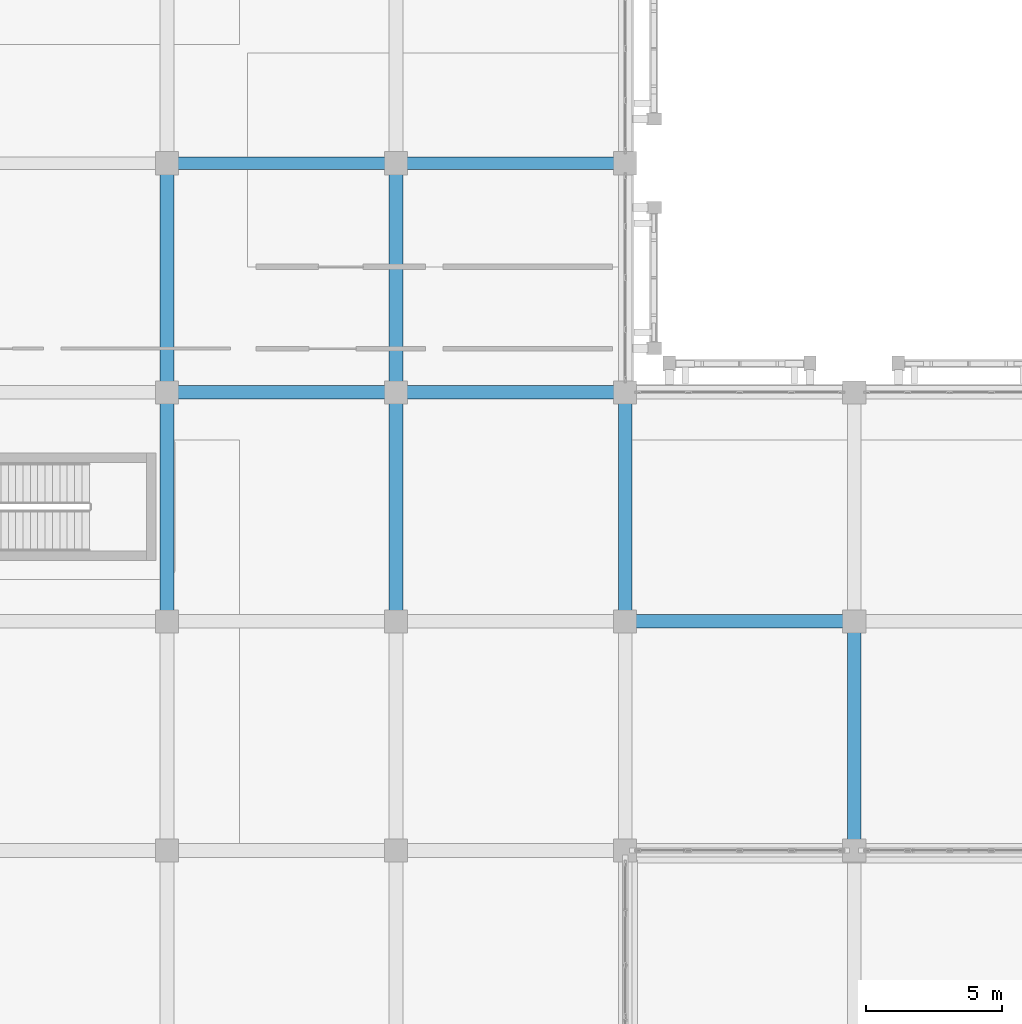
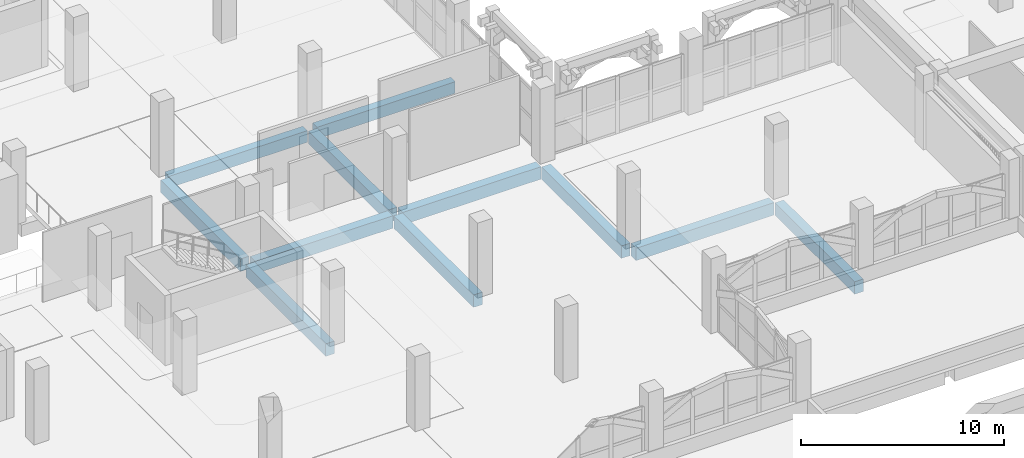
# One storey, part 49 of 129: 11 beams.
"""IFC4 building model written with IfcOpenShell, lengths in metres."""

from ifc_helpers import new_model, si_unit, direction, frame, origin, origin_2d, place, context, subcontext, project, spatial, rectangle, extrude, material, material_profile, profile_set, type_object, element, save


model = new_model("IFC4")

# Units and contexts
model_context = context("Model", 3, precision=1e-05, world=origin(), true_north=direction((0.0, 1.0)))
body_context = subcontext(model_context, "Body", "Model", "MODEL_VIEW")
ifc_project = project(units=[si_unit("LENGTHUNIT", "METRE"), si_unit("AREAUNIT", "SQUARE_METRE"), si_unit("VOLUMEUNIT", "CUBIC_METRE"), si_unit("PLANEANGLEUNIT", "RADIAN"), si_unit("MASSUNIT", "GRAM", prefix="KILO")], contexts=[model_context])

# Site, building, storey
site_placement = place(None, origin())
site = spatial("IfcSite", under=ifc_project, at=site_placement, CompositionType="ELEMENT")
building_placement = place(site_placement, origin())
building = spatial("IfcBuilding", under=site, at=building_placement, Name="Xazarin Passage Department Store", CompositionType="ELEMENT")
storey_placement = place(building_placement, frame((0.0, 0.0, 9.89990234375)))
storey = spatial("IfcBuildingStorey", under=building, at=storey_placement, Name="L02", CompositionType="ELEMENT", Elevation=9.89990234375)

# Beams
ifc_material = material(Name="Concrete C35/45", Category="concrete")
ifc_material_profile_1 = material_profile(ifc_material, rectangle(XDim=0.449951171875, YDim=0.699951171875, at=origin_2d()), Name="RC 450x700")
ifc_profile_set_1 = profile_set([ifc_material_profile_1], Name="Concrete C35/45")
beam_type_1 = type_object("IfcBeamType", Name="STR-BM-G450x700", PredefinedType="BEAM", material=ifc_profile_set_1)
for number, where, z_axis, x_axis, name in (
    (1, (33.8798828125, 93.199951171875, -0.64990234375), (1.0, 0.0, 0.0), (0.0, 1.0, 0.0), "L02 Grid Beam N/5-6"),
    (2, (42.280029296875, 93.199951171875, -0.64990234375), (1.0, 0.0, 0.0), (0.0, 1.0, 0.0), "L02 Grid Beam N/6-7"),
):
    element("IfcBeam", number, at=place(storey_placement, frame(where, z_axis=z_axis, x_axis=x_axis)), inside=storey, type_object=beam_type_1, Name=name, PredefinedType="BEAM", context=body_context, shape_type="SweptSolid", body=[
        extrude(rectangle(XDim=0.449951171875, YDim=0.699951171875, at=origin_2d()), origin(), (0.0, 0.0, 1.0), 7.840087890625),
    ])
ifc_material_profile_2 = material_profile(ifc_material, rectangle(XDim=0.5, YDim=0.75, at=origin_2d()), Name="RC 500x750")
ifc_profile_set_2 = profile_set([ifc_material_profile_2], Name="Concrete C35/45")
beam_type_2 = type_object("IfcBeamType", Name="STR-BM-SP500x750", PredefinedType="SPANDREL", material=ifc_profile_set_2)
for number, where, z_axis, x_axis, name in (
    (3, (50.679931640625, 76.39990234375, -0.6748046875), (1.0, 0.0, 0.0), (0.0, 1.0, 0.0), "L02 Grid Beam L/7-8"),
    (4, (33.8798828125, 84.800048828125, -0.6748046875), (1.0, 0.0, 0.0), (0.0, 1.0, 0.0), "L02 Grid Beam M/5-6"),
    (5, (42.280029296875, 84.800048828125, -0.6748046875), (1.0, 0.0, 0.0), (0.0, 1.0, 0.0), "L02 Grid Beam M/6-7"),
    (6, (33.60009765625, 76.679931640625, -0.6748046875), (0.0, 1.0, 0.0), (-1.0, 0.0, 0.0), "L02 Grid Beam 5/L-M"),
):
    element("IfcBeam", number, at=place(storey_placement, frame(where, z_axis=z_axis, x_axis=x_axis)), inside=storey, type_object=beam_type_2, Name=name, PredefinedType="SPANDREL", context=body_context, shape_type="SweptSolid", body=[
        extrude(rectangle(XDim=0.5, YDim=0.75, at=origin_2d()), origin(), (0.0, 0.0, 1.0), 7.840087890625),
    ])
beam_1_placement = place(storey_placement, frame((33.60009765625, 85.080078125, -0.6748046875), z_axis=(0.0, 1.0, 0.0), x_axis=(-1.0, 0.0, 0.0)))
element("IfcBeam", 7, at=beam_1_placement, inside=storey, type_object=beam_type_2, Name="L02 Grid Beam 5/M-N", PredefinedType="SPANDREL", context=body_context, shape_type="SweptSolid", body=[
    extrude(rectangle(XDim=0.5, YDim=0.75, at=origin_2d()), origin(), (0.0, 0.0, 1.0), 7.83984375),
])
beam_2_placement = place(storey_placement, frame((42.0, 76.679931640625, -0.6748046875), z_axis=(0.0, 1.0, 0.0), x_axis=(-1.0, 0.0, 0.0)))
element("IfcBeam", 8, at=beam_2_placement, inside=storey, type_object=beam_type_2, Name="L02 Grid Beam 6/L-M", PredefinedType="SPANDREL", context=body_context, shape_type="SweptSolid", body=[
    extrude(rectangle(XDim=0.5, YDim=0.75, at=origin_2d()), origin(), (0.0, 0.0, 1.0), 7.840087890625),
])
beam_3_placement = place(storey_placement, frame((42.0, 85.080078125, -0.6748046875), z_axis=(0.0, 1.0, 0.0), x_axis=(-1.0, 0.0, 0.0)))
element("IfcBeam", 9, at=beam_3_placement, inside=storey, type_object=beam_type_2, Name="L02 Grid Beam 6/M-N", PredefinedType="SPANDREL", context=body_context, shape_type="SweptSolid", body=[
    extrude(rectangle(XDim=0.5, YDim=0.75, at=origin_2d()), origin(), (0.0, 0.0, 1.0), 7.83984375),
])
for number, where, z_axis, x_axis, name in (
    (10, (50.39990234375, 76.679931640625, -0.6748046875), (0.0, 1.0, 0.0), (-1.0, 0.0, 0.0), "L02 Grid Beam 7/L-M"),
    (11, (58.800048828125, 68.280029296875, -0.6748046875), (0.0, 1.0, 0.0), (-1.0, 0.0, 0.0), "L02 Grid Beam 8/K-L"),
):
    element("IfcBeam", number, at=place(storey_placement, frame(where, z_axis=z_axis, x_axis=x_axis)), inside=storey, type_object=beam_type_2, Name=name, PredefinedType="SPANDREL", context=body_context, shape_type="SweptSolid", body=[
        extrude(rectangle(XDim=0.5, YDim=0.75, at=origin_2d()), origin(), (0.0, 0.0, 1.0), 7.840087890625),
    ])

save(model, "model.ifc")
